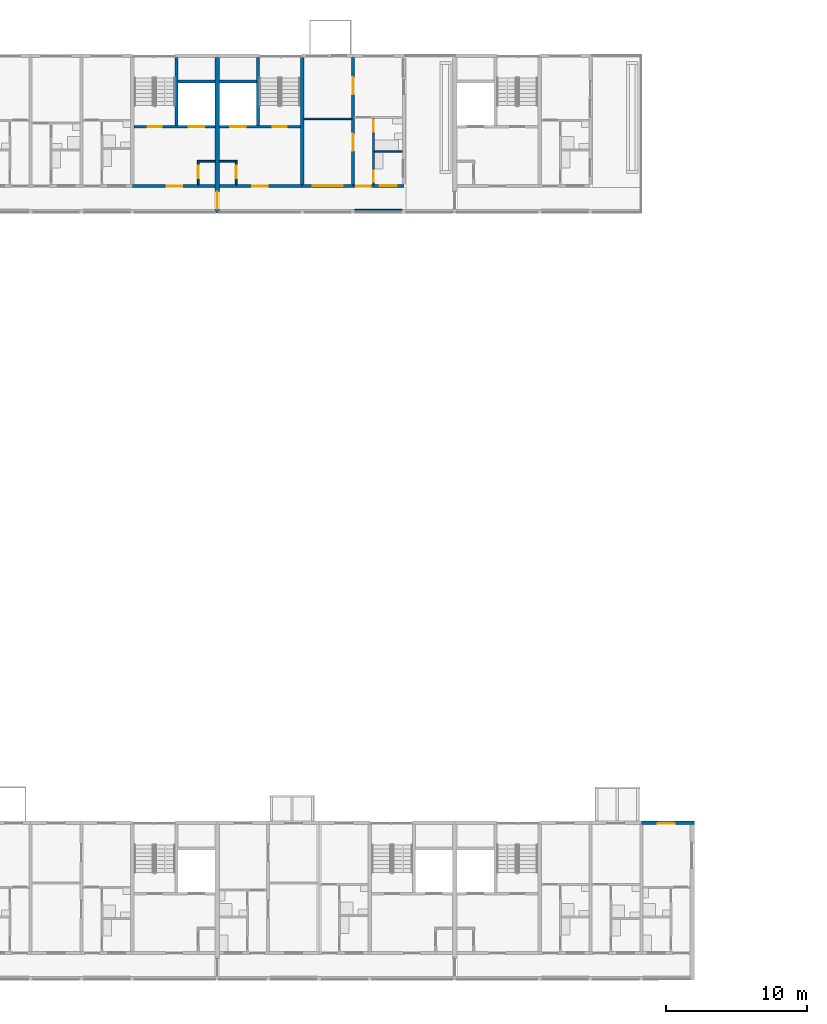
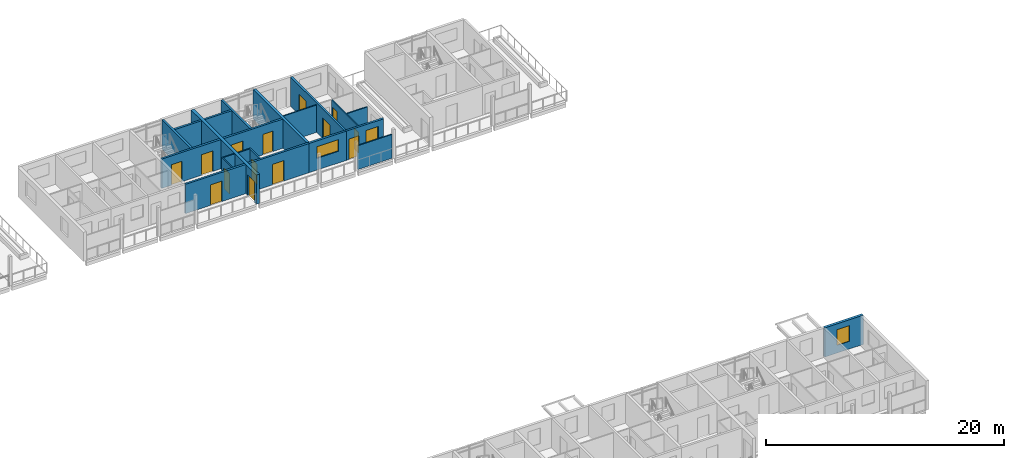
# One storey, part 40 of 94: 22 walls, 14 doors, 3 windows, 17 openings.
"""IFC4 building model written with IfcOpenShell, lengths in metres."""

from ifc_helpers import new_model, si_unit, direction, frame, frame_2d, origin, place, context, subcontext, project, spatial, rectangle, extrude, material, layer, layer_set, type_object, element, fill, save


model = new_model("IFC4")

# Units and contexts
model_context = context("Model", 3, precision=1e-05, world=origin(), true_north=direction((0.0, 1.0)))
body_context = subcontext(model_context, "Body", "Model", "MODEL_VIEW")
ifc_project = project(units=[si_unit("LENGTHUNIT", "METRE"), si_unit("AREAUNIT", "SQUARE_METRE"), si_unit("VOLUMEUNIT", "CUBIC_METRE"), si_unit("PLANEANGLEUNIT", "RADIAN"), si_unit("MASSUNIT", "GRAM", prefix="KILO")], contexts=[model_context])

# Site, building, storey
site_placement = place(None, origin())
site = spatial("IfcSite", under=ifc_project, at=site_placement, CompositionType="ELEMENT")
building_placement = place(site_placement, origin())
building = spatial("IfcBuilding", under=site, at=building_placement, Name="Ridgestep Commons", CompositionType="ELEMENT")
storey_placement = place(building_placement, frame((0.0, 0.0, 21.0)))
storey = spatial("IfcBuildingStorey", under=building, at=storey_placement, Name="L07", CompositionType="ELEMENT", Elevation=21.0)

# Wall
ifc_material_1 = material(Name="Concrete C30/37", Category="concrete")
ifc_layer_1 = layer(ifc_material_1, 0.25)
ifc_layer_set_1 = layer_set([ifc_layer_1], Name="Core cross wall 250")
wall_type_1 = type_object("IfcWallType", Name="Core cross wall 250", PredefinedType="SHEAR", material=ifc_layer_set_1)
wall_1_placement = place(storey_placement, frame((85.199951171875, 68.0, 0.0), z_axis=(0.0, 0.0, 1.0), x_axis=(0.0, 1.0, 0.0)))
element("IfcWall", 1, at=wall_1_placement, inside=storey, type_object=wall_type_1, Name="Cross wall B-07-0852", PredefinedType="SHEAR", context=body_context, shape_type="SweptSolid", body=[
    extrude(rectangle(XDim=9.0, YDim=0.25, at=frame_2d((4.5, 0.0))), origin(), (0.0, 0.0, 1.0), 3.0),
])

# Wall, opening, door
ifc_material_2 = material(Name="Concrete C30/37", Category="concrete")
ifc_layer_2 = layer(ifc_material_2, 0.199951171875)
ifc_layer_set_2 = layer_set([ifc_layer_2], Name="Core south wall 200")
wall_type_2 = type_object("IfcWallType", Name="Core south wall 200", PredefinedType="SHEAR", material=ifc_layer_set_2)
wall_2_placement = place(storey_placement, frame((73.199951171875, 67.89990234375, 0.0), z_axis=(0.0, 0.0, 1.0), x_axis=(1.0, 0.0, 0.0)))
wall_2 = element("IfcWall", 2, at=wall_2_placement, inside=storey, type_object=wall_type_2, Name="Core south wall B4C L07", PredefinedType="SHEAR", context=body_context, shape_type="SweptSolid", body=[
    extrude(rectangle(XDim=5.85009765625, YDim=0.199951171875, at=frame_2d((2.925048828125, 0.0))), origin(), (0.0, 0.0, 1.0), 3.0),
])
opening_1_placement = place(wall_2_placement, frame((2.4375, 0.0, 0.0)))
opening_1 = element("IfcOpeningElement", 3, at=opening_1_placement, cuts=wall_2, Name="Opening B4C/07/1", PredefinedType="OPENING", context=body_context, shape_type="SweptSolid", body=[
    extrude(rectangle(XDim=1.10009765625, YDim=2.10009765625, at=frame_2d((0.550048828125, 1.050048828125))), frame((0.0, 0.10986328125, 0.0), z_axis=(0.0, -1.0, 0.0), x_axis=(1.0, 0.0, 0.0)), (0.0, 0.0, 1.0), 0.219970703125),
])
ifc_material_3 = material(Name="Steel fire door", Category="steel")
door_type_1 = type_object("IfcDoorType", Name="Lobby door 1100 x 2100 FD60", OperationType="NOTDEFINED", PredefinedType="DOOR", material=ifc_material_3)
door_1_placement = place(opening_1_placement, origin())
door_1 = element("IfcDoor", 4, at=door_1_placement, inside=storey, type_object=door_type_1, Name="Lobby door B4C/07/1", OperationType="SINGLE_SWING_LEFT", OverallHeight=2.10009765625, OverallWidth=1.10009765625, PredefinedType="DOOR", context=body_context, shape_type="SweptSolid", body=[
    extrude(rectangle(XDim=1.10009765625, YDim=2.10009765625, at=frame_2d((0.550048828125, 1.050048828125))), frame((0.0, 0.02490234375, 0.0), z_axis=(0.0, -1.0, 0.0), x_axis=(1.0, 0.0, 0.0)), (0.0, 0.0, 1.0), 0.050048828125),
])
fill(opening_1, door_1)

wall_3_placement = place(storey_placement, frame((79.35009765625, 67.89990234375, 0.0), z_axis=(0.0, 0.0, 1.0), x_axis=(1.0, 0.0, 0.0)))
wall_3 = element("IfcWall", 5, at=wall_3_placement, inside=storey, type_object=wall_type_2, Name="Core south wall B5C L07", PredefinedType="SHEAR", context=body_context, shape_type="SweptSolid", body=[
    extrude(rectangle(XDim=5.849853515625, YDim=0.199951171875, at=frame_2d((2.9248046875, 0.0))), origin(), (0.0, 0.0, 1.0), 3.0),
])
opening_2_placement = place(wall_3_placement, frame((2.3125, 0.0, 0.0)))
opening_2 = element("IfcOpeningElement", 6, at=opening_2_placement, cuts=wall_3, Name="Opening B5C/07/1", PredefinedType="OPENING", context=body_context, shape_type="SweptSolid", body=[
    extrude(rectangle(XDim=1.10009765625, YDim=2.10009765625, at=frame_2d((0.550048828125, 1.050048828125))), frame((0.0, 0.10986328125, 0.0), z_axis=(0.0, -1.0, 0.0), x_axis=(1.0, 0.0, 0.0)), (0.0, 0.0, 1.0), 0.219970703125),
])
door_2_placement = place(opening_2_placement, origin())
door_2 = element("IfcDoor", 7, at=door_2_placement, inside=storey, type_object=door_type_1, Name="Lobby door B5C/07/1", OperationType="SINGLE_SWING_LEFT", OverallHeight=2.10009765625, OverallWidth=1.10009765625, PredefinedType="DOOR", context=body_context, shape_type="SweptSolid", body=[
    extrude(rectangle(XDim=1.10009765625, YDim=2.10009765625, at=frame_2d((0.550048828125, 1.050048828125))), frame((0.0, 0.02490234375, 0.0), z_axis=(0.0, -1.0, 0.0), x_axis=(1.0, 0.0, 0.0)), (0.0, 0.0, 1.0), 0.050048828125),
])
fill(opening_2, door_2)

ifc_material_4 = material(Name="Concrete C30/37", Category="concrete")
ifc_layer_3 = layer(ifc_material_4, 0.1201171875)
ifc_layer_set_3 = layer_set([ifc_layer_3], Name="Core wall 120")
wall_type_3 = type_object("IfcWallType", Name="Core wall 120", PredefinedType="SHEAR", material=ifc_layer_set_3)
wall_4_placement = place(storey_placement, frame((77.860107421875, 68.0, 0.0), z_axis=(0.0, 0.0, 1.0), x_axis=(0.0, 1.0, 0.0)))
wall_4 = element("IfcWall", 8, at=wall_4_placement, inside=storey, type_object=wall_type_3, Name="Core riser w wall B4C L07", PredefinedType="SHEAR", context=body_context, shape_type="SweptSolid", body=[
    extrude(rectangle(XDim=1.719970703125, YDim=0.1201171875, at=frame_2d((0.85986328125, 0.0))), origin(), (0.0, 0.0, 1.0), 3.0),
])
opening_3_placement = place(wall_4_placement, frame((0.449951171875, 0.0, 0.0)))
opening_3 = element("IfcOpeningElement", 9, at=opening_3_placement, cuts=wall_4, Name="Opening B4C/07/4", PredefinedType="OPENING", context=body_context, shape_type="SweptSolid", body=[
    extrude(rectangle(XDim=0.89990234375, YDim=2.10009765625, at=frame_2d((0.449951171875, 1.050048828125))), frame((0.0, 0.070068359375, 0.0), z_axis=(0.0, -1.0, 0.0), x_axis=(1.0, 0.0, 0.0)), (0.0, 0.0, 1.0), 0.14013671875),
])
ifc_material_5 = material(Name="Steel fire door", Category="steel")
door_type_2 = type_object("IfcDoorType", Name="Riser door 900 x 2100 FD60", OperationType="NOTDEFINED", PredefinedType="DOOR", material=ifc_material_5)
door_3_placement = place(opening_3_placement, origin())
door_3 = element("IfcDoor", 10, at=door_3_placement, inside=storey, type_object=door_type_2, Name="Riser door B4C/07/4", OperationType="SINGLE_SWING_LEFT", OverallHeight=2.10009765625, OverallWidth=0.89990234375, PredefinedType="DOOR", context=body_context, shape_type="SweptSolid", body=[
    extrude(rectangle(XDim=0.89990234375, YDim=2.10009765625, at=frame_2d((0.449951171875, 1.050048828125))), frame((0.0, 0.02490234375, 0.0), z_axis=(0.0, -1.0, 0.0), x_axis=(1.0, 0.0, 0.0)), (0.0, 0.0, 1.0), 0.050048828125),
])
fill(opening_3, door_3)

# Wall
wall_5_placement = place(storey_placement, frame((77.919921875, 69.659912109375, 0.0), z_axis=(0.0, 0.0, 1.0), x_axis=(1.0, 0.0, 0.0)))
element("IfcWall", 11, at=wall_5_placement, inside=storey, type_object=wall_type_3, Name="Core riser n wall B4C L07", PredefinedType="SHEAR", context=body_context, shape_type="SweptSolid", body=[
    extrude(rectangle(XDim=1.130126953125, YDim=0.1201171875, at=frame_2d((0.56494140625, 0.0))), origin(), (0.0, 0.0, 1.0), 3.0),
])

# Wall, opening, door
wall_6_placement = place(storey_placement, frame((80.5400390625, 68.0, 0.0), z_axis=(0.0, 0.0, 1.0), x_axis=(0.0, 1.0, 0.0)))
wall_6 = element("IfcWall", 12, at=wall_6_placement, inside=storey, type_object=wall_type_3, Name="Core riser w wall B5C L07", PredefinedType="SHEAR", context=body_context, shape_type="SweptSolid", body=[
    extrude(rectangle(XDim=1.719970703125, YDim=0.1201171875, at=frame_2d((0.85986328125, 0.0))), origin(), (0.0, 0.0, 1.0), 3.0),
])
opening_4_placement = place(wall_6_placement, frame((0.449951171875, 0.0, 0.0)))
opening_4 = element("IfcOpeningElement", 13, at=opening_4_placement, cuts=wall_6, Name="Opening B5C/07/4", PredefinedType="OPENING", context=body_context, shape_type="SweptSolid", body=[
    extrude(rectangle(XDim=0.89990234375, YDim=2.10009765625, at=frame_2d((0.449951171875, 1.050048828125))), frame((0.0, 0.070068359375, 0.0), z_axis=(0.0, -1.0, 0.0), x_axis=(1.0, 0.0, 0.0)), (0.0, 0.0, 1.0), 0.14013671875),
])
door_4_placement = place(opening_4_placement, origin())
door_4 = element("IfcDoor", 14, at=door_4_placement, inside=storey, type_object=door_type_2, Name="Riser door B5C/07/4", OperationType="SINGLE_SWING_RIGHT", OverallHeight=2.10009765625, OverallWidth=0.89990234375, PredefinedType="DOOR", context=body_context, shape_type="SweptSolid", body=[
    extrude(rectangle(XDim=0.89990234375, YDim=2.10009765625, at=frame_2d((0.449951171875, 1.050048828125))), frame((0.0, 0.02490234375, 0.0), z_axis=(0.0, -1.0, 0.0), x_axis=(1.0, 0.0, 0.0)), (0.0, 0.0, 1.0), 0.050048828125),
])
fill(opening_4, door_4)

# Wall
wall_7_placement = place(storey_placement, frame((79.35009765625, 69.659912109375, 0.0), z_axis=(0.0, 0.0, 1.0), x_axis=(1.0, 0.0, 0.0)))
element("IfcWall", 15, at=wall_7_placement, inside=storey, type_object=wall_type_3, Name="Core riser n wall B5C L07", PredefinedType="SHEAR", context=body_context, shape_type="SweptSolid", body=[
    extrude(rectangle(XDim=1.1298828125, YDim=0.1201171875, at=frame_2d((0.56494140625, 0.0))), origin(), (0.0, 0.0, 1.0), 3.0),
])

# Wall, openings, doors
ifc_material_6 = material(Name="Concrete C30/37", Category="concrete")
ifc_layer_4 = layer(ifc_material_6, 0.199951171875)
ifc_layer_set_4 = layer_set([ifc_layer_4], Name="Core wall 200")
wall_type_4 = type_object("IfcWallType", Name="Core wall 200", PredefinedType="SHEAR", material=ifc_layer_set_4)
wall_8_placement = place(storey_placement, frame((73.324951171875, 72.10009765625, 0.0), z_axis=(0.0, 0.0, 1.0), x_axis=(1.0, 0.0, 0.0)))
wall_8 = element("IfcWall", 16, at=wall_8_placement, inside=storey, type_object=wall_type_4, Name="Core lobby wall B4C L07", PredefinedType="SHEAR", context=body_context, shape_type="SweptSolid", body=[
    extrude(rectangle(XDim=5.72509765625, YDim=0.199951171875, at=frame_2d((2.862548828125, 0.0))), origin(), (0.0, 0.0, 1.0), 3.0),
])
opening_5_placement = place(wall_8_placement, frame((0.949951171875, 0.0, 0.0)))
opening_5 = element("IfcOpeningElement", 17, at=opening_5_placement, cuts=wall_8, Name="Opening B4C/07/2", PredefinedType="OPENING", context=body_context, shape_type="SweptSolid", body=[
    extrude(rectangle(XDim=1.0, YDim=2.10009765625, at=frame_2d((0.5, 1.050048828125))), frame((0.0, 0.10986328125, 0.0), z_axis=(0.0, -1.0, 0.0), x_axis=(1.0, 0.0, 0.0)), (0.0, 0.0, 1.0), 0.219970703125),
])
opening_6_placement = place(wall_8_placement, frame((3.862548828125, 0.0, 0.0)))
opening_6 = element("IfcOpeningElement", 18, at=opening_6_placement, cuts=wall_8, Name="Opening B4C/07/3", PredefinedType="OPENING", context=body_context, shape_type="SweptSolid", body=[
    extrude(rectangle(XDim=1.10009765625, YDim=2.10009765625, at=frame_2d((0.550048828125, 1.050048828125))), frame((0.0, 0.10986328125, 0.0), z_axis=(0.0, -1.0, 0.0), x_axis=(1.0, 0.0, 0.0)), (0.0, 0.0, 1.0), 0.219970703125),
])
ifc_material_7 = material(Name="Stainless steel", Category="steel")
door_type_3 = type_object("IfcDoorType", Name="Lift landing door 1100 x 2100 FD60", OperationType="DOUBLE_DOOR_SLIDING", PredefinedType="DOOR", material=ifc_material_7)
door_5_placement = place(opening_6_placement, origin())
door_5 = element("IfcDoor", 19, at=door_5_placement, inside=storey, type_object=door_type_3, Name="Landing door LD B4C L07", OperationType="DOUBLE_DOOR_SLIDING", OverallHeight=2.10009765625, OverallWidth=1.10009765625, PredefinedType="DOOR", context=body_context, shape_type="SweptSolid", body=[
    extrude(rectangle(XDim=1.10009765625, YDim=2.10009765625, at=frame_2d((0.550048828125, 1.050048828125))), frame((0.0, 0.02490234375, 0.0), z_axis=(0.0, -1.0, 0.0), x_axis=(1.0, 0.0, 0.0)), (0.0, 0.0, 1.0), 0.050048828125),
])
fill(opening_6, door_5)
ifc_material_8 = material(Name="Steel fire door", Category="steel")
door_type_4 = type_object("IfcDoorType", Name="Stair door 1000 x 2100 FD60", OperationType="NOTDEFINED", PredefinedType="DOOR", material=ifc_material_8)
door_6_placement = place(opening_5_placement, origin())
door_6 = element("IfcDoor", 20, at=door_6_placement, inside=storey, type_object=door_type_4, Name="Stair door B4C/07/2", OperationType="SINGLE_SWING_RIGHT", OverallHeight=2.10009765625, OverallWidth=1.0, PredefinedType="DOOR", context=body_context, shape_type="SweptSolid", body=[
    extrude(rectangle(XDim=1.0, YDim=2.10009765625, at=frame_2d((0.5, 1.050048828125))), frame((0.0, 0.02490234375, 0.0), z_axis=(0.0, -1.0, 0.0), x_axis=(1.0, 0.0, 0.0)), (0.0, 0.0, 1.0), 0.050048828125),
])
fill(opening_5, door_6)

# Walls
wall_9_placement = place(storey_placement, frame((76.324951171875, 72.199951171875, 0.0), z_axis=(0.0, 0.0, 1.0), x_axis=(0.0, 1.0, 0.0)))
element("IfcWall", 21, at=wall_9_placement, inside=storey, type_object=wall_type_4, Name="Core stair wall B4C L07", PredefinedType="SHEAR", context=body_context, shape_type="SweptSolid", body=[
    extrude(rectangle(XDim=4.800048828125, YDim=0.199951171875, at=frame_2d((2.39990234375, 0.0))), origin(), (0.0, 0.0, 1.0), 3.0),
])
wall_10_placement = place(storey_placement, frame((76.425048828125, 75.300048828125, 0.0), z_axis=(0.0, 0.0, 1.0), x_axis=(1.0, 0.0, 0.0)))
element("IfcWall", 22, at=wall_10_placement, inside=storey, type_object=wall_type_4, Name="Core duct wall B4C L07", PredefinedType="SHEAR", context=body_context, shape_type="SweptSolid", body=[
    extrude(rectangle(XDim=2.625, YDim=0.199951171875, at=frame_2d((1.3125, 0.0))), origin(), (0.0, 0.0, 1.0), 3.0),
])

# Wall, openings, doors
wall_11_placement = place(storey_placement, frame((79.35009765625, 72.10009765625, 0.0), z_axis=(0.0, 0.0, 1.0), x_axis=(1.0, 0.0, 0.0)))
wall_11 = element("IfcWall", 23, at=wall_11_placement, inside=storey, type_object=wall_type_4, Name="Core lobby wall B5C L07", PredefinedType="SHEAR", context=body_context, shape_type="SweptSolid", body=[
    extrude(rectangle(XDim=5.724853515625, YDim=0.199951171875, at=frame_2d((2.8623046875, 0.0))), origin(), (0.0, 0.0, 1.0), 3.0),
])
opening_7_placement = place(wall_11_placement, frame((3.77490234375, 0.0, 0.0)))
opening_7 = element("IfcOpeningElement", 24, at=opening_7_placement, cuts=wall_11, Name="Opening B5C/07/2", PredefinedType="OPENING", context=body_context, shape_type="SweptSolid", body=[
    extrude(rectangle(XDim=1.0, YDim=2.10009765625, at=frame_2d((0.5, 1.050048828125))), frame((0.0, 0.10986328125, 0.0), z_axis=(0.0, -1.0, 0.0), x_axis=(1.0, 0.0, 0.0)), (0.0, 0.0, 1.0), 0.219970703125),
])
opening_8_placement = place(wall_11_placement, frame((0.762451171875, 0.0, 0.0)))
opening_8 = element("IfcOpeningElement", 25, at=opening_8_placement, cuts=wall_11, Name="Opening B5C/07/3", PredefinedType="OPENING", context=body_context, shape_type="SweptSolid", body=[
    extrude(rectangle(XDim=1.10009765625, YDim=2.10009765625, at=frame_2d((0.550048828125, 1.050048828125))), frame((0.0, 0.10986328125, 0.0), z_axis=(0.0, -1.0, 0.0), x_axis=(1.0, 0.0, 0.0)), (0.0, 0.0, 1.0), 0.219970703125),
])
door_7_placement = place(opening_8_placement, origin())
door_7 = element("IfcDoor", 26, at=door_7_placement, inside=storey, type_object=door_type_3, Name="Landing door LD B5C L07", OperationType="DOUBLE_DOOR_SLIDING", OverallHeight=2.10009765625, OverallWidth=1.10009765625, PredefinedType="DOOR", context=body_context, shape_type="SweptSolid", body=[
    extrude(rectangle(XDim=1.10009765625, YDim=2.10009765625, at=frame_2d((0.550048828125, 1.050048828125))), frame((0.0, 0.02490234375, 0.0), z_axis=(0.0, -1.0, 0.0), x_axis=(1.0, 0.0, 0.0)), (0.0, 0.0, 1.0), 0.050048828125),
])
fill(opening_8, door_7)
door_8_placement = place(opening_7_placement, origin())
door_8 = element("IfcDoor", 27, at=door_8_placement, inside=storey, type_object=door_type_4, Name="Stair door B5C/07/2", OperationType="SINGLE_SWING_RIGHT", OverallHeight=2.10009765625, OverallWidth=1.0, PredefinedType="DOOR", context=body_context, shape_type="SweptSolid", body=[
    extrude(rectangle(XDim=1.0, YDim=2.10009765625, at=frame_2d((0.5, 1.050048828125))), frame((0.0, 0.02490234375, 0.0), z_axis=(0.0, -1.0, 0.0), x_axis=(1.0, 0.0, 0.0)), (0.0, 0.0, 1.0), 0.050048828125),
])
fill(opening_7, door_8)

# Walls
wall_12_placement = place(storey_placement, frame((82.074951171875, 72.199951171875, 0.0), z_axis=(0.0, 0.0, 1.0), x_axis=(0.0, 1.0, 0.0)))
element("IfcWall", 28, at=wall_12_placement, inside=storey, type_object=wall_type_4, Name="Core stair wall B5C L07", PredefinedType="SHEAR", context=body_context, shape_type="SweptSolid", body=[
    extrude(rectangle(XDim=4.800048828125, YDim=0.199951171875, at=frame_2d((2.39990234375, 0.0))), origin(), (0.0, 0.0, 1.0), 3.0),
])
wall_13_placement = place(storey_placement, frame((79.35009765625, 75.300048828125, 0.0), z_axis=(0.0, 0.0, 1.0), x_axis=(1.0, 0.0, 0.0)))
element("IfcWall", 29, at=wall_13_placement, inside=storey, type_object=wall_type_4, Name="Core duct wall B5C L07", PredefinedType="SHEAR", context=body_context, shape_type="SweptSolid", body=[
    extrude(rectangle(XDim=2.625, YDim=0.199951171875, at=frame_2d((1.3125, 0.0))), origin(), (0.0, 0.0, 1.0), 3.0),
])

# Wall, openings, doors
ifc_material_9 = material(Name="Precast concrete C40/50", Category="concrete")
ifc_layer_5 = layer(ifc_material_9, 0.199951171875)
ifc_layer_set_5 = layer_set([ifc_layer_5], Name="Cross wall 200")
wall_type_5 = type_object("IfcWallType", Name="Cross wall 200", PredefinedType="SHEAR", material=ifc_layer_set_5)
wall_14_placement = place(storey_placement, frame((88.800048828125, 68.0, 0.0), z_axis=(0.0, 0.0, 1.0), x_axis=(0.0, 1.0, 0.0)))
wall_14 = element("IfcWall", 30, at=wall_14_placement, inside=storey, type_object=wall_type_5, Name="Cross wall B-07-0888", PredefinedType="SHEAR", context=body_context, shape_type="SweptSolid", body=[
    extrude(rectangle(XDim=9.0, YDim=0.199951171875, at=frame_2d((4.5, 0.0))), origin(), (0.0, 0.0, 1.0), 3.0),
])
opening_9_placement = place(wall_14_placement, frame((2.39990234375, 0.0, 0.0)))
opening_9 = element("IfcOpeningElement", 31, at=opening_9_placement, cuts=wall_14, Name="Opening B5-07a/5", PredefinedType="OPENING", context=body_context, shape_type="SweptSolid", body=[
    extrude(rectangle(XDim=1.199951171875, YDim=2.10009765625, at=frame_2d((0.60009765625, 1.050048828125))), frame((0.0, 0.10986328125, 0.0), z_axis=(0.0, -1.0, 0.0), x_axis=(1.0, 0.0, 0.0)), (0.0, 0.0, 1.0), 0.219970703125),
])
opening_10_placement = place(wall_14_placement, frame((6.39990234375, 0.0, 0.0)))
opening_10 = element("IfcOpeningElement", 32, at=opening_10_placement, cuts=wall_14, Name="Opening B5-07a/6", PredefinedType="OPENING", context=body_context, shape_type="SweptSolid", body=[
    extrude(rectangle(XDim=1.199951171875, YDim=2.10009765625, at=frame_2d((0.60009765625, 1.050048828125))), frame((0.0, 0.10986328125, 0.0), z_axis=(0.0, -1.0, 0.0), x_axis=(1.0, 0.0, 0.0)), (0.0, 0.0, 1.0), 0.219970703125),
])
ifc_material_10 = material(Name="Timber door leaf", Category="wood")
door_type_5 = type_object("IfcDoorType", Name="Double door 1200 x 2100", OperationType="DOUBLE_DOOR_SINGLE_SWING", PredefinedType="DOOR", material=ifc_material_10)
door_9_placement = place(opening_9_placement, origin())
door_9 = element("IfcDoor", 33, at=door_9_placement, inside=storey, type_object=door_type_5, Name="Double door B5-07a/5", OperationType="DOUBLE_DOOR_SINGLE_SWING", OverallHeight=2.10009765625, OverallWidth=1.199951171875, PredefinedType="DOOR", context=body_context, shape_type="SweptSolid", body=[
    extrude(rectangle(XDim=1.199951171875, YDim=2.10009765625, at=frame_2d((0.60009765625, 1.050048828125))), frame((0.0, 0.02490234375, 0.0), z_axis=(0.0, -1.0, 0.0), x_axis=(1.0, 0.0, 0.0)), (0.0, 0.0, 1.0), 0.050048828125),
])
fill(opening_9, door_9)
door_10_placement = place(opening_10_placement, origin())
door_10 = element("IfcDoor", 34, at=door_10_placement, inside=storey, type_object=door_type_5, Name="Double door B5-07a/6", OperationType="DOUBLE_DOOR_SINGLE_SWING", OverallHeight=2.10009765625, OverallWidth=1.199951171875, PredefinedType="DOOR", context=body_context, shape_type="SweptSolid", body=[
    extrude(rectangle(XDim=1.199951171875, YDim=2.10009765625, at=frame_2d((0.60009765625, 1.050048828125))), frame((0.0, 0.02490234375, 0.0), z_axis=(0.0, -1.0, 0.0), x_axis=(1.0, 0.0, 0.0)), (0.0, 0.0, 1.0), 0.050048828125),
])
fill(opening_10, door_10)

# Wall, opening, door
ifc_material_11 = material(Name="Precast concrete C40/50", Category="concrete")
ifc_layer_6 = layer(ifc_material_11, 0.300048828125)
ifc_layer_set_6 = layer_set([ifc_layer_6], Name="Division wall 300")
wall_type_6 = type_object("IfcWallType", Name="Division wall 300", PredefinedType="SHEAR", material=ifc_layer_set_6)
wall_15_placement = place(storey_placement, frame((79.199951171875, 66.0, 0.0), z_axis=(0.0, 0.0, 1.0), x_axis=(0.0, 1.0, 0.0)))
wall_15 = element("IfcWall", 35, at=wall_15_placement, inside=storey, type_object=wall_type_6, Name="Cross wall B-07-0792", PredefinedType="SHEAR", context=body_context, shape_type="SweptSolid", body=[
    extrude(rectangle(XDim=11.0, YDim=0.300048828125, at=frame_2d((5.5, 0.0))), origin(), (0.0, 0.0, 1.0), 3.0),
])
opening_11_placement = place(wall_15_placement, frame((0.300048828125, 0.0, 0.0)))
opening_11 = element("IfcOpeningElement", 36, at=opening_11_placement, cuts=wall_15, Name="Opening B/07/G0792", PredefinedType="OPENING", context=body_context, shape_type="SweptSolid", body=[
    extrude(rectangle(XDim=1.199951171875, YDim=2.10009765625, at=frame_2d((0.60009765625, 1.050048828125))), frame((0.0, 0.159912109375, 0.0), z_axis=(0.0, -1.0, 0.0), x_axis=(1.0, 0.0, 0.0)), (0.0, 0.0, 1.0), 0.320068359375),
])
ifc_material_12 = material(Name="Steel fire door", Category="steel")
door_type_6 = type_object("IfcDoorType", Name="Division fire door 1200 x 2100 EI 240", OperationType="DOUBLE_DOOR_SINGLE_SWING", PredefinedType="DOOR", material=ifc_material_12)
door_11_placement = place(opening_11_placement, origin())
door_11 = element("IfcDoor", 37, at=door_11_placement, inside=storey, type_object=door_type_6, Name="Division fire door B/07/G0792", OperationType="DOUBLE_DOOR_SINGLE_SWING", OverallHeight=2.10009765625, OverallWidth=1.199951171875, PredefinedType="DOOR", context=body_context, shape_type="SweptSolid", body=[
    extrude(rectangle(XDim=1.199951171875, YDim=2.10009765625, at=frame_2d((0.60009765625, 1.050048828125))), frame((0.0, 0.02490234375, 0.0), z_axis=(0.0, -1.0, 0.0), x_axis=(1.0, 0.0, 0.0)), (0.0, 0.0, 1.0), 0.050048828125),
])
fill(opening_11, door_11)

# Wall, opening, window
ifc_material_13 = material(Name="Precast concrete C40/50", Category="concrete")
ifc_layer_7 = layer(ifc_material_13, 0.25)
ifc_layer_set_7 = layer_set([ifc_layer_7], Name="North facade panel 250")
wall_type_7 = type_object("IfcWallType", Name="North facade panel 250", PredefinedType="SOLIDWALL", material=ifc_layer_set_7)
wall_16_placement = place(storey_placement, frame((109.199951171875, 22.875, 0.0), z_axis=(0.0, 0.0, 1.0), x_axis=(1.0, 0.0, 0.0)))
wall_16 = element("IfcWall", 38, at=wall_16_placement, inside=storey, type_object=wall_type_7, Name="North panel A6T1 L07", PredefinedType="SOLIDWALL", context=body_context, shape_type="SweptSolid", body=[
    extrude(rectangle(XDim=3.75, YDim=0.25, at=frame_2d((1.875, 0.0))), origin(), (0.0, 0.0, 1.0), 3.0),
])
opening_12_placement = place(wall_16_placement, frame((1.175048828125, 0.0, 0.800048828125)))
opening_12 = element("IfcOpeningElement", 39, at=opening_12_placement, cuts=wall_16, Name="Opening W11", PredefinedType="OPENING", context=body_context, shape_type="SweptSolid", body=[
    extrude(rectangle(XDim=1.199951171875, YDim=1.60009765625, at=frame_2d((0.60009765625, 0.800048828125))), frame((0.0, 0.135009765625, 0.0), z_axis=(0.0, -1.0, 0.0), x_axis=(1.0, 0.0, 0.0)), (0.0, 0.0, 1.0), 0.27001953125),
])
ifc_material_14 = material(Name="Aluminium 6063-T6 and glass", Category="aluminium")
window_type_1 = type_object("IfcWindowType", Name="Flat window 1200 x 1600", PartitioningType="SINGLE_PANEL", PredefinedType="WINDOW", material=ifc_material_14)
window_1_placement = place(opening_12_placement, origin())
window_1 = element("IfcWindow", 40, at=window_1_placement, inside=storey, type_object=window_type_1, Name="Window A6-07a 2", OverallHeight=1.60009765625, OverallWidth=1.199951171875, PartitioningType="SINGLE_PANEL", PredefinedType="WINDOW", context=body_context, shape_type="SweptSolid", body=[
    extrude(rectangle(XDim=1.199951171875, YDim=1.60009765625, at=frame_2d((0.60009765625, 0.800048828125))), frame((0.0, -0.02490234375, 0.0), z_axis=(0.0, -1.0, 0.0), x_axis=(1.0, 0.0, 0.0)), (0.0, 0.0, 1.0), 0.06005859375),
])
fill(opening_12, window_1)

# Wall, openings, doors
ifc_material_15 = material(Name="Common brick 110 mm", Category="masonry")
ifc_layer_8 = layer(ifc_material_15, 0.110107421875)
ifc_layer_set_8 = layer_set([ifc_layer_8], Name="Partition 110")
wall_type_8 = type_object("IfcWallType", Name="Partition 110", PredefinedType="PARTITIONING", material=ifc_layer_set_8)
wall_17_placement = place(storey_placement, frame((90.2548828125, 68.0, 0.0), z_axis=(0.0, 0.0, 1.0), x_axis=(0.0, 1.0, 0.0)))
wall_17 = element("IfcWall", 41, at=wall_17_placement, inside=storey, type_object=wall_type_8, Name="Partition B5-07a", PredefinedType="PARTITIONING", context=body_context, shape_type="SweptSolid", body=[
    extrude(rectangle(XDim=4.699951171875, YDim=0.110107421875, at=frame_2d((2.35009765625, 0.0))), origin(), (0.0, 0.0, 1.0), 2.75),
])
opening_13_placement = place(wall_17_placement, frame((0.199951171875, 0.0, 0.0)))
opening_13 = element("IfcOpeningElement", 42, at=opening_13_placement, cuts=wall_17, Name="Opening B5-07a/2", PredefinedType="OPENING", context=body_context, shape_type="SweptSolid", body=[
    extrude(rectangle(XDim=0.800048828125, YDim=2.10009765625, at=frame_2d((0.39990234375, 1.050048828125))), frame((0.0, 0.06494140625, 0.0), z_axis=(0.0, -1.0, 0.0), x_axis=(1.0, 0.0, 0.0)), (0.0, 0.0, 1.0), 0.130126953125),
])
opening_14_placement = place(wall_17_placement, frame((3.75, 0.0, 0.0)))
opening_14 = element("IfcOpeningElement", 43, at=opening_14_placement, cuts=wall_17, Name="Opening B5-07a/3", PredefinedType="OPENING", context=body_context, shape_type="SweptSolid", body=[
    extrude(rectangle(XDim=0.800048828125, YDim=2.10009765625, at=frame_2d((0.39990234375, 1.050048828125))), frame((0.0, 0.06494140625, 0.0), z_axis=(0.0, -1.0, 0.0), x_axis=(1.0, 0.0, 0.0)), (0.0, 0.0, 1.0), 0.130126953125),
])
ifc_material_16 = material(Name="Timber door leaf", Category="wood")
door_type_7 = type_object("IfcDoorType", Name="Internal door 800 x 2100", OperationType="NOTDEFINED", PredefinedType="DOOR", material=ifc_material_16)
door_12_placement = place(opening_13_placement, origin())
door_12 = element("IfcDoor", 44, at=door_12_placement, inside=storey, type_object=door_type_7, Name="Internal door B5-07a/2", OperationType="SINGLE_SWING_RIGHT", OverallHeight=2.10009765625, OverallWidth=0.800048828125, PredefinedType="DOOR", context=body_context, shape_type="SweptSolid", body=[
    extrude(rectangle(XDim=0.800048828125, YDim=2.10009765625, at=frame_2d((0.39990234375, 1.050048828125))), frame((0.0, 0.02490234375, 0.0), z_axis=(0.0, -1.0, 0.0), x_axis=(1.0, 0.0, 0.0)), (0.0, 0.0, 1.0), 0.050048828125),
])
fill(opening_13, door_12)
door_13_placement = place(opening_14_placement, origin())
door_13 = element("IfcDoor", 45, at=door_13_placement, inside=storey, type_object=door_type_7, Name="Internal door B5-07a/3", OperationType="SINGLE_SWING_LEFT", OverallHeight=2.10009765625, OverallWidth=0.800048828125, PredefinedType="DOOR", context=body_context, shape_type="SweptSolid", body=[
    extrude(rectangle(XDim=0.800048828125, YDim=2.10009765625, at=frame_2d((0.39990234375, 1.050048828125))), frame((0.0, 0.02490234375, 0.0), z_axis=(0.0, -1.0, 0.0), x_axis=(1.0, 0.0, 0.0)), (0.0, 0.0, 1.0), 0.050048828125),
])
fill(opening_14, door_13)

# Walls
wall_18_placement = place(storey_placement, frame((90.31005859375, 70.35498046875, 0.0), z_axis=(0.0, 0.0, 1.0), x_axis=(1.0, 0.0, 0.0)))
element("IfcWall", 46, at=wall_18_placement, inside=storey, type_object=wall_type_8, Name="Partition B5-07a", PredefinedType="PARTITIONING", context=body_context, shape_type="SweptSolid", body=[
    extrude(rectangle(XDim=1.989990234375, YDim=0.110107421875, at=frame_2d((0.9951171875, 0.0))), origin(), (0.0, 0.0, 1.0), 2.75),
])
wall_19_placement = place(storey_placement, frame((85.324951171875, 72.655029296875, 0.0), z_axis=(0.0, 0.0, 1.0), x_axis=(1.0, 0.0, 0.0)))
element("IfcWall", 47, at=wall_19_placement, inside=storey, type_object=wall_type_8, Name="Partition B5-07a", PredefinedType="PARTITIONING", context=body_context, shape_type="SweptSolid", body=[
    extrude(rectangle(XDim=3.375, YDim=0.110107421875, at=frame_2d((1.6875, 0.0))), origin(), (0.0, 0.0, 1.0), 2.800048828125),
])
ifc_material_17 = material(Name="Precast concrete C30/37", Category="concrete")
ifc_layer_9 = layer(ifc_material_17, 0.10009765625)
ifc_layer_set_9 = layer_set([ifc_layer_9], Name="Perforated gallery screen 3350 x 2450 x 100")
wall_type_9 = type_object("IfcWallType", Name="Perforated gallery screen 3350 x 2450 x 100", PredefinedType="SOLIDWALL", material=ifc_layer_set_9)
wall_20_placement = place(storey_placement, frame((88.925048828125, 66.199951171875, 0.0), z_axis=(0.0, 0.0, 1.0), x_axis=(1.0, 0.0, 0.0)))
element("IfcWall", 48, at=wall_20_placement, inside=storey, type_object=wall_type_9, Name="Gallery screen B5T2 07", PredefinedType="SOLIDWALL", context=body_context, shape_type="SweptSolid", body=[
    extrude(rectangle(XDim=3.349853515625, YDim=0.10009765625, at=frame_2d((1.6748046875, 0.0))), origin(), (0.0, 0.0, 1.0), 2.449951171875),
])

# Wall, opening, window
ifc_material_18 = material(Name="Precast concrete C40/50", Category="concrete")
ifc_layer_10 = layer(ifc_material_18, 0.199951171875)
ifc_layer_set_10 = layer_set([ifc_layer_10], Name="South facade panel 200")
wall_type_10 = type_object("IfcWallType", Name="South facade panel 200", PredefinedType="SOLIDWALL", material=ifc_layer_set_10)
wall_21_placement = place(storey_placement, frame((85.199951171875, 67.89990234375, 0.0), z_axis=(0.0, 0.0, 1.0), x_axis=(1.0, 0.0, 0.0)))
wall_21 = element("IfcWall", 49, at=wall_21_placement, inside=storey, type_object=wall_type_10, Name="South panel B5T3 L07", PredefinedType="SOLIDWALL", context=body_context, shape_type="SweptSolid", body=[
    extrude(rectangle(XDim=3.60009765625, YDim=0.199951171875, at=frame_2d((1.800048828125, 0.0))), origin(), (0.0, 0.0, 1.0), 3.0),
])
opening_15_placement = place(wall_21_placement, frame((0.762451171875, 0.0, 1.199951171875)))
opening_15 = element("IfcOpeningElement", 50, at=opening_15_placement, cuts=wall_21, Name="Opening W22", PredefinedType="OPENING", context=body_context, shape_type="SweptSolid", body=[
    extrude(rectangle(XDim=2.10009765625, YDim=1.199951171875, at=frame_2d((1.050048828125, 0.60009765625))), frame((0.0, 0.10986328125, 0.0), z_axis=(0.0, -1.0, 0.0), x_axis=(1.0, 0.0, 0.0)), (0.0, 0.0, 1.0), 0.219970703125),
])
ifc_material_19 = material(Name="Aluminium 6063-T6 and glass", Category="aluminium")
window_type_2 = type_object("IfcWindowType", Name="Flat window 2100 x 1200", PartitioningType="DOUBLE_PANEL_VERTICAL", PredefinedType="WINDOW", material=ifc_material_19)
window_2_placement = place(opening_15_placement, origin())
window_2 = element("IfcWindow", 51, at=window_2_placement, inside=storey, type_object=window_type_2, Name="Window B5-07a 1", OverallHeight=1.199951171875, OverallWidth=2.10009765625, PartitioningType="SINGLE_PANEL", PredefinedType="WINDOW", context=body_context, shape_type="SweptSolid", body=[
    extrude(rectangle(XDim=2.10009765625, YDim=1.199951171875, at=frame_2d((1.050048828125, 0.60009765625))), frame((0.0, 0.06005859375, 0.0), z_axis=(0.0, -1.0, 0.0), x_axis=(1.0, 0.0, 0.0)), (0.0, 0.0, 1.0), 0.06005859375),
])
fill(opening_15, window_2)

# Wall, openings, door, window
wall_22_placement = place(storey_placement, frame((88.800048828125, 67.89990234375, 0.0), z_axis=(0.0, 0.0, 1.0), x_axis=(1.0, 0.0, 0.0)))
wall_22 = element("IfcWall", 52, at=wall_22_placement, inside=storey, type_object=wall_type_10, Name="South panel B5T2 L07", PredefinedType="SOLIDWALL", context=body_context, shape_type="SweptSolid", body=[
    extrude(rectangle(XDim=3.599853515625, YDim=0.199951171875, at=frame_2d((1.7998046875, 0.0))), origin(), (0.0, 0.0, 1.0), 3.0),
])
opening_16_placement = place(wall_22_placement, frame((1.905029296875, 0.0, 1.10009765625)))
opening_16 = element("IfcOpeningElement", 53, at=opening_16_placement, cuts=wall_22, Name="Opening W08", PredefinedType="OPENING", context=body_context, shape_type="SweptSolid", body=[
    extrude(rectangle(XDim=1.199951171875, YDim=1.300048828125, at=frame_2d((0.60009765625, 0.64990234375))), frame((0.0, 0.10986328125, 0.0), z_axis=(0.0, -1.0, 0.0), x_axis=(1.0, 0.0, 0.0)), (0.0, 0.0, 1.0), 0.219970703125),
])
opening_17_placement = place(wall_22_placement, frame((0.25, 0.0, 0.0)))
opening_17 = element("IfcOpeningElement", 54, at=opening_17_placement, cuts=wall_22, Name="Opening B5-07a/1", PredefinedType="OPENING", context=body_context, shape_type="SweptSolid", body=[
    extrude(rectangle(XDim=1.0, YDim=2.10009765625, at=frame_2d((0.5, 1.050048828125))), frame((0.0, 0.10986328125, 0.0), z_axis=(0.0, -1.0, 0.0), x_axis=(1.0, 0.0, 0.0)), (0.0, 0.0, 1.0), 0.219970703125),
])
ifc_material_20 = material(Name="Timber door leaf", Category="wood")
door_type_8 = type_object("IfcDoorType", Name="Flat entrance door 1000 x 2100 FD30S", OperationType="NOTDEFINED", PredefinedType="DOOR", material=ifc_material_20)
door_14_placement = place(opening_17_placement, origin())
door_14 = element("IfcDoor", 55, at=door_14_placement, inside=storey, type_object=door_type_8, Name="Flat entrance door B5-07a/1", OperationType="SINGLE_SWING_LEFT", OverallHeight=2.10009765625, OverallWidth=1.0, PredefinedType="DOOR", context=body_context, shape_type="SweptSolid", body=[
    extrude(rectangle(XDim=1.0, YDim=2.10009765625, at=frame_2d((0.5, 1.050048828125))), frame((0.0, 0.02490234375, 0.0), z_axis=(0.0, -1.0, 0.0), x_axis=(1.0, 0.0, 0.0)), (0.0, 0.0, 1.0), 0.050048828125),
])
fill(opening_17, door_14)
ifc_material_21 = material(Name="Aluminium 6063-T6 and glass", Category="aluminium")
window_type_3 = type_object("IfcWindowType", Name="Flat window 1200 x 1300", PartitioningType="SINGLE_PANEL", PredefinedType="WINDOW", material=ifc_material_21)
window_3_placement = place(opening_16_placement, origin())
window_3 = element("IfcWindow", 56, at=window_3_placement, inside=storey, type_object=window_type_3, Name="Window B5-07a 3", OverallHeight=1.300048828125, OverallWidth=1.199951171875, PartitioningType="SINGLE_PANEL", PredefinedType="WINDOW", context=body_context, shape_type="SweptSolid", body=[
    extrude(rectangle(XDim=1.199951171875, YDim=1.300048828125, at=frame_2d((0.60009765625, 0.64990234375))), frame((0.0, 0.06005859375, 0.0), z_axis=(0.0, -1.0, 0.0), x_axis=(1.0, 0.0, 0.0)), (0.0, 0.0, 1.0), 0.06005859375),
])
fill(opening_16, window_3)

save(model, "model.ifc")
